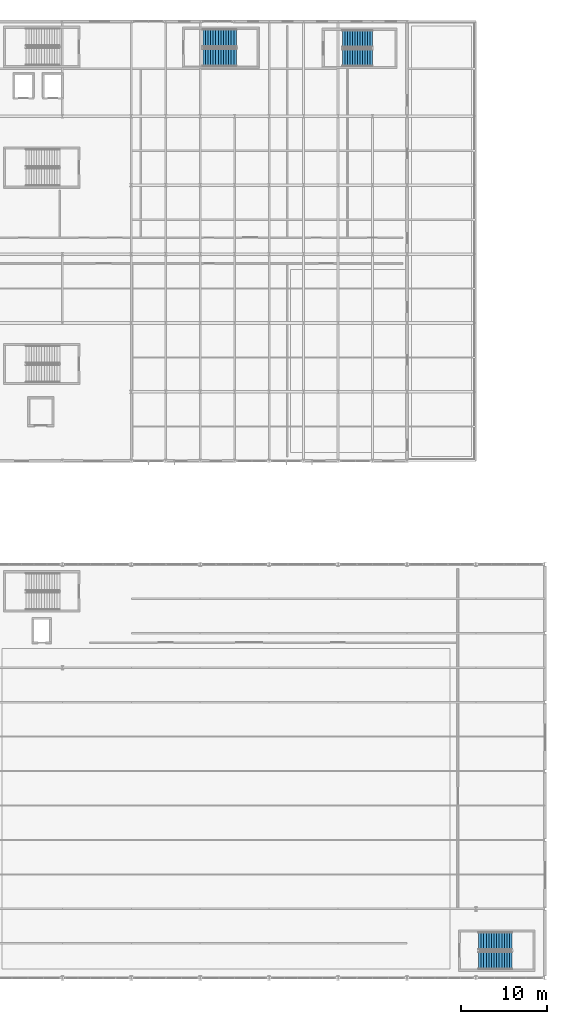
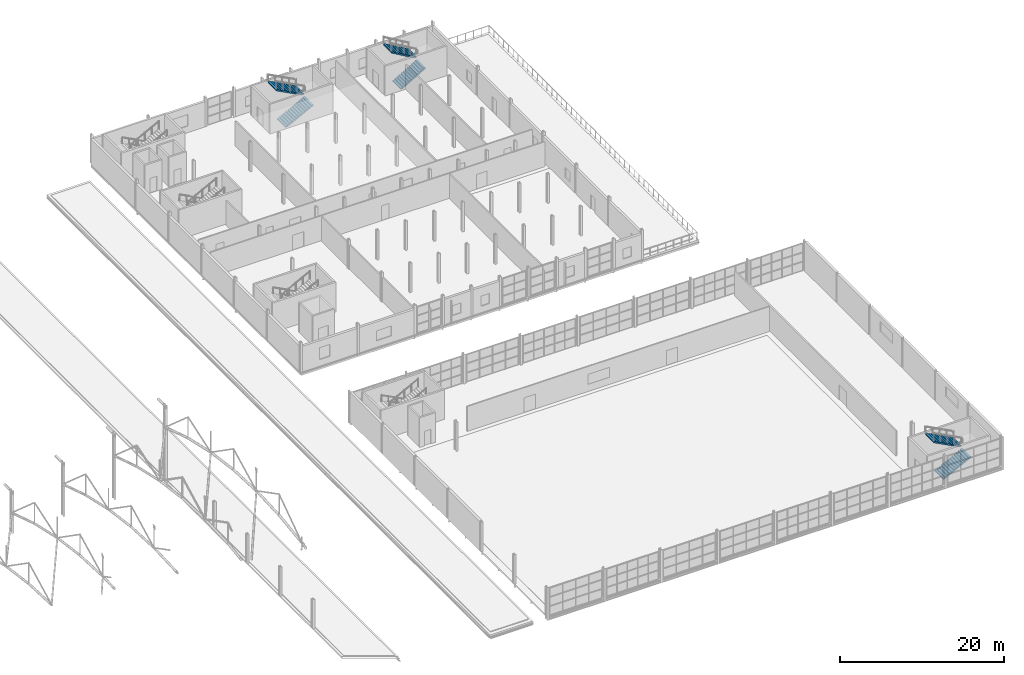
# One storey, part 143 of 153: 6 stair flights, 3 elements without a shape of their own.
"""IFC4 building model written with IfcOpenShell, lengths in metres."""

from ifc_helpers import new_model, si_unit, derived_unit, direction, frame, origin, place, context, subcontext, project, spatial, polyline, outline, extrude, material, type_object, element, aggregate, save


model = new_model("IFC4")

# Units and contexts
model_context = context("Model", 3, precision=1e-05, world=origin(), true_north=direction((0.0, 1.0)))
body_context = subcontext(model_context, "Body", "Model", "MODEL_VIEW")
ifc_project = project(units=[si_unit("LENGTHUNIT", "METRE"), si_unit("AREAUNIT", "SQUARE_METRE"), si_unit("VOLUMEUNIT", "CUBIC_METRE"), si_unit("PLANEANGLEUNIT", "RADIAN"), si_unit("MASSUNIT", "GRAM", prefix="KILO"), derived_unit("THERMALTRANSMITTANCEUNIT", [(si_unit("POWERUNIT", "WATT"), 1), (si_unit("LENGTHUNIT", "METRE"), -2), (si_unit("THERMODYNAMICTEMPERATUREUNIT", "KELVIN"), -1)])], contexts=[model_context])

# Site, building, storey
site_placement = place(None, origin())
site = spatial("IfcSite", under=ifc_project, at=site_placement, CompositionType="ELEMENT")
building_placement = place(site_placement, origin())
building = spatial("IfcBuilding", under=site, at=building_placement, Name="Keldorne Ridge Multi-Sports Centre", CompositionType="ELEMENT")
storey_placement = place(building_placement, frame((0.0, 0.0, 9.60009765625)))
storey = spatial("IfcBuildingStorey", under=building, at=storey_placement, Name="L02", CompositionType="ELEMENT", Elevation=9.60009765625)

# Stair, stair flights
ifc_material = material(Name="Concrete C35/45", Category="concrete")
stair_type = type_object("IfcStairType", Name="STR-S01", PredefinedType="HALF_TURN_STAIR", material=ifc_material)
stair_1_placement = place(storey_placement, origin())
stair_1 = element("IfcStair", 1, at=stair_1_placement, inside=storey, type_object=stair_type, Name="L02 East Wing Studio Core C3", PredefinedType="HALF_TURN_STAIR")
stair_flight_type = type_object("IfcStairFlightType", Name="STF-F01", PredefinedType="STRAIGHT", material=ifc_material)
stair_flight_1_placement = place(storey_placement, frame((144.5, 112.800048828125, 0.0), z_axis=(0.0, 0.0, 1.0), x_axis=(1.0, 0.0, 0.0)))
stair_flight_1 = element("IfcStairFlight", 2, at=stair_flight_1_placement, type_object=stair_flight_type, Name="ST-03 flight 1", NumberOfRisers=13, NumberOfTreads=12, PredefinedType="STRAIGHT", RiserHeight=0.169230769, TreadLength=0.29, context=body_context, shape_type="SweptSolid", body=[
    extrude(outline(polyline([(0.0, 0.0), (0.0, 0.169189453125), (0.2900390625, 0.169189453125), (0.2900390625, 0.33837890625), (0.580078125, 0.33837890625), (0.580078125, 0.5078125), (0.8701171875, 0.5078125), (0.8701171875, 0.677001953125), (1.159912109375, 0.677001953125), (1.159912109375, 0.84619140625), (1.449951171875, 0.84619140625), (1.449951171875, 1.015380859375), (1.739990234375, 1.015380859375), (1.739990234375, 1.1845703125), (2.030029296875, 1.1845703125), (2.030029296875, 1.353759765625), (2.320068359375, 1.353759765625), (2.320068359375, 1.523193359375), (2.610107421875, 1.523193359375), (2.610107421875, 1.6923828125), (2.89990234375, 1.6923828125), (2.89990234375, 1.861572265625), (3.18994140625, 1.861572265625), (3.18994140625, 2.03076171875), (3.47998046875, 2.03076171875), (3.47998046875, 2.199951171875), (3.47998046875, 1.857177734375), (0.29736328125, 0.0), (0.0, 0.0)])), frame((0.0, 1.0, 0.0), z_axis=(0.0, -1.0, 0.0), x_axis=(1.0, 0.0, 0.0)), (0.0, 0.0, 1.0), 2.0),
])
stair_flight_2_placement = place(storey_placement, frame((147.97998046875, 114.97998046875, 2.199951171875), z_axis=(0.0, 0.0, 1.0), x_axis=(-1.0, 0.0, 0.0)))
stair_flight_2 = element("IfcStairFlight", 3, at=stair_flight_2_placement, type_object=stair_flight_type, Name="ST-03 flight 2", NumberOfRisers=13, NumberOfTreads=12, PredefinedType="STRAIGHT", RiserHeight=0.169230769, TreadLength=0.29, context=body_context, shape_type="SweptSolid", body=[
    extrude(outline(polyline([(0.0, 0.0), (0.0, 0.169189453125), (0.2900390625, 0.169189453125), (0.2900390625, 0.33837890625), (0.580078125, 0.33837890625), (0.580078125, 0.5078125), (0.8701171875, 0.5078125), (0.8701171875, 0.677001953125), (1.159912109375, 0.677001953125), (1.159912109375, 0.84619140625), (1.449951171875, 0.84619140625), (1.449951171875, 1.015380859375), (1.739990234375, 1.015380859375), (1.739990234375, 1.1845703125), (2.030029296875, 1.1845703125), (2.030029296875, 1.353759765625), (2.320068359375, 1.353759765625), (2.320068359375, 1.523193359375), (2.610107421875, 1.523193359375), (2.610107421875, 1.6923828125), (2.89990234375, 1.6923828125), (2.89990234375, 1.861572265625), (3.18994140625, 1.861572265625), (3.18994140625, 2.03076171875), (3.47998046875, 2.03076171875), (3.47998046875, 2.199951171875), (3.47998046875, 1.857177734375), (0.29736328125, 0.0), (0.0, 0.0)])), frame((0.0, 1.0, 0.0), z_axis=(0.0, -1.0, 0.0), x_axis=(1.0, 0.0, 0.0)), (0.0, 0.0, 1.0), 2.0),
])
aggregate(stair_1, [stair_flight_1, stair_flight_2])

stair_2_placement = place(storey_placement, origin())
stair_2 = element("IfcStair", 4, at=stair_2_placement, inside=storey, type_object=stair_type, Name="L02 South-East Courts Escape Core C5", PredefinedType="HALF_TURN_STAIR")
stair_flight_3_placement = place(storey_placement, frame((160.300048828125, 8.030029296875, 0.0), z_axis=(0.0, 0.0, 1.0), x_axis=(1.0, 0.0, 0.0)))
stair_flight_3 = element("IfcStairFlight", 5, at=stair_flight_3_placement, type_object=stair_flight_type, Name="ST-05 flight 1", NumberOfRisers=14, NumberOfTreads=13, PredefinedType="STRAIGHT", RiserHeight=0.157142857, TreadLength=0.3, context=body_context, shape_type="SweptSolid", body=[
    extrude(outline(polyline([(0.0, 0.0), (0.0, 0.1572265625), (0.300048828125, 0.1572265625), (0.300048828125, 0.314208984375), (0.60009765625, 0.314208984375), (0.60009765625, 0.471435546875), (0.89990234375, 0.471435546875), (0.89990234375, 0.628662109375), (1.199951171875, 0.628662109375), (1.199951171875, 0.78564453125), (1.5, 0.78564453125), (1.5, 0.94287109375), (1.800048828125, 0.94287109375), (1.800048828125, 1.10009765625), (2.10009765625, 1.10009765625), (2.10009765625, 1.257080078125), (2.39990234375, 1.257080078125), (2.39990234375, 1.414306640625), (2.699951171875, 1.414306640625), (2.699951171875, 1.571533203125), (3.0, 1.571533203125), (3.0, 1.728515625), (3.300048828125, 1.728515625), (3.300048828125, 1.8857421875), (3.60009765625, 1.8857421875), (3.60009765625, 2.04296875), (3.89990234375, 2.04296875), (3.89990234375, 2.199951171875), (3.89990234375, 1.87353515625), (0.322998046875, 0.0), (0.0, 0.0)])), frame((0.0, 1.030029296875, 0.0), z_axis=(0.0, -1.0, 0.0), x_axis=(1.0, 0.0, 0.0)), (0.0, 0.0, 1.0), 2.06005859375),
])
stair_flight_4_placement = place(storey_placement, frame((164.199951171875, 10.27001953125, 2.199951171875), z_axis=(0.0, 0.0, 1.0), x_axis=(-1.0, 0.0, 0.0)))
stair_flight_4 = element("IfcStairFlight", 6, at=stair_flight_4_placement, type_object=stair_flight_type, Name="ST-05 flight 2", NumberOfRisers=14, NumberOfTreads=13, PredefinedType="STRAIGHT", RiserHeight=0.157142857, TreadLength=0.3, context=body_context, shape_type="SweptSolid", body=[
    extrude(outline(polyline([(0.0, 0.0), (0.0, 0.1572265625), (0.300048828125, 0.1572265625), (0.300048828125, 0.314208984375), (0.60009765625, 0.314208984375), (0.60009765625, 0.471435546875), (0.89990234375, 0.471435546875), (0.89990234375, 0.628662109375), (1.199951171875, 0.628662109375), (1.199951171875, 0.78564453125), (1.5, 0.78564453125), (1.5, 0.94287109375), (1.800048828125, 0.94287109375), (1.800048828125, 1.10009765625), (2.10009765625, 1.10009765625), (2.10009765625, 1.257080078125), (2.39990234375, 1.257080078125), (2.39990234375, 1.414306640625), (2.699951171875, 1.414306640625), (2.699951171875, 1.571533203125), (3.0, 1.571533203125), (3.0, 1.728515625), (3.300048828125, 1.728515625), (3.300048828125, 1.8857421875), (3.60009765625, 1.8857421875), (3.60009765625, 2.04296875), (3.89990234375, 2.04296875), (3.89990234375, 2.199951171875), (3.89990234375, 1.87353515625), (0.322998046875, 0.0), (0.0, 0.0)])), frame((0.0, 1.030029296875, 0.0), z_axis=(0.0, -1.0, 0.0), x_axis=(1.0, 0.0, 0.0)), (0.0, 0.0, 1.0), 2.06005859375),
])
aggregate(stair_2, [stair_flight_3, stair_flight_4])

stair_3_placement = place(storey_placement, origin())
stair_3 = element("IfcStair", 7, at=stair_3_placement, inside=storey, type_object=stair_type, Name="L02 Upper Studio Escape Stair ST-10", PredefinedType="HALF_TURN_STAIR")
stair_flight_5_placement = place(storey_placement, frame((128.300048828125, 112.830078125, 0.0), z_axis=(0.0, 0.0, 1.0), x_axis=(1.0, 0.0, 0.0)))
stair_flight_5 = element("IfcStairFlight", 8, at=stair_flight_5_placement, type_object=stair_flight_type, Name="ST-10 flight 1", NumberOfRisers=14, NumberOfTreads=13, PredefinedType="STRAIGHT", RiserHeight=0.157142857, TreadLength=0.3, context=body_context, shape_type="SweptSolid", body=[
    extrude(outline(polyline([(0.0, 0.0), (0.0, 0.1572265625), (0.300048828125, 0.1572265625), (0.300048828125, 0.314208984375), (0.60009765625, 0.314208984375), (0.60009765625, 0.471435546875), (0.89990234375, 0.471435546875), (0.89990234375, 0.628662109375), (1.199951171875, 0.628662109375), (1.199951171875, 0.78564453125), (1.5, 0.78564453125), (1.5, 0.94287109375), (1.800048828125, 0.94287109375), (1.800048828125, 1.10009765625), (2.10009765625, 1.10009765625), (2.10009765625, 1.257080078125), (2.39990234375, 1.257080078125), (2.39990234375, 1.414306640625), (2.699951171875, 1.414306640625), (2.699951171875, 1.571533203125), (3.0, 1.571533203125), (3.0, 1.728515625), (3.300048828125, 1.728515625), (3.300048828125, 1.8857421875), (3.60009765625, 1.8857421875), (3.60009765625, 2.04296875), (3.89990234375, 2.04296875), (3.89990234375, 2.199951171875), (3.89990234375, 1.87353515625), (0.322998046875, 0.0), (0.0, 0.0)])), frame((0.0, 1.030029296875, 0.0), z_axis=(0.0, -1.0, 0.0), x_axis=(1.0, 0.0, 0.0)), (0.0, 0.0, 1.0), 2.06005859375),
])
stair_flight_6_placement = place(storey_placement, frame((132.199951171875, 115.070068359375, 2.199951171875), z_axis=(0.0, 0.0, 1.0), x_axis=(-1.0, 0.0, 0.0)))
stair_flight_6 = element("IfcStairFlight", 9, at=stair_flight_6_placement, type_object=stair_flight_type, Name="ST-10 flight 2", NumberOfRisers=14, NumberOfTreads=13, PredefinedType="STRAIGHT", RiserHeight=0.157142857, TreadLength=0.3, context=body_context, shape_type="SweptSolid", body=[
    extrude(outline(polyline([(0.0, 0.0), (0.0, 0.1572265625), (0.300048828125, 0.1572265625), (0.300048828125, 0.314208984375), (0.60009765625, 0.314208984375), (0.60009765625, 0.471435546875), (0.89990234375, 0.471435546875), (0.89990234375, 0.628662109375), (1.199951171875, 0.628662109375), (1.199951171875, 0.78564453125), (1.5, 0.78564453125), (1.5, 0.94287109375), (1.800048828125, 0.94287109375), (1.800048828125, 1.10009765625), (2.10009765625, 1.10009765625), (2.10009765625, 1.257080078125), (2.39990234375, 1.257080078125), (2.39990234375, 1.414306640625), (2.699951171875, 1.414306640625), (2.699951171875, 1.571533203125), (3.0, 1.571533203125), (3.0, 1.728515625), (3.300048828125, 1.728515625), (3.300048828125, 1.8857421875), (3.60009765625, 1.8857421875), (3.60009765625, 2.04296875), (3.89990234375, 2.04296875), (3.89990234375, 2.199951171875), (3.89990234375, 1.87353515625), (0.322998046875, 0.0), (0.0, 0.0)])), frame((0.0, 1.030029296875, 0.0), z_axis=(0.0, -1.0, 0.0), x_axis=(1.0, 0.0, 0.0)), (0.0, 0.0, 1.0), 2.06005859375),
])
aggregate(stair_3, [stair_flight_5, stair_flight_6])

save(model, "model.ifc")
